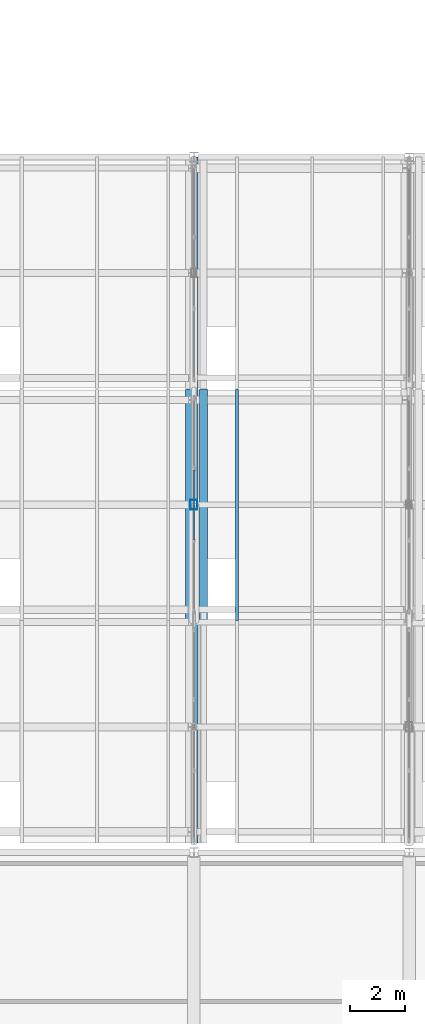
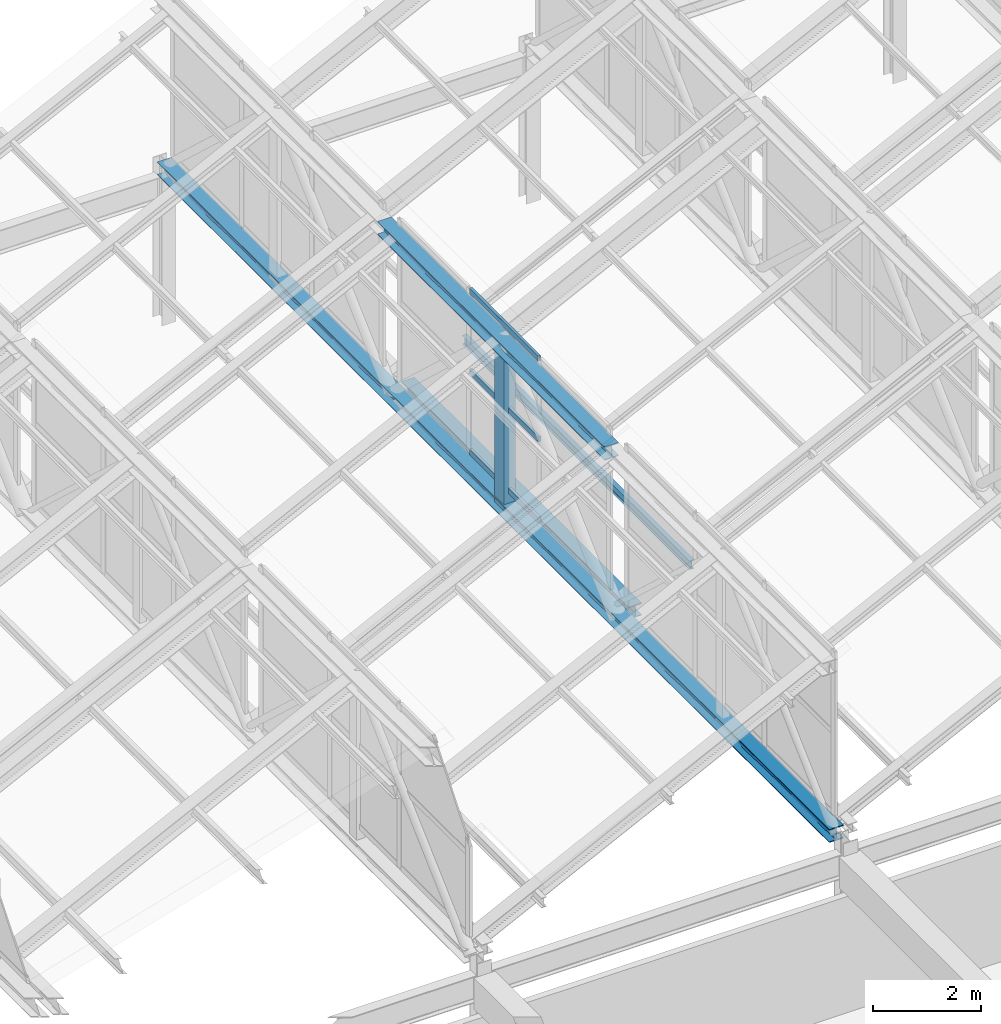
# One storey, part 29 of 101: 8 members, 1 element without a shape of its own.
"""IFC4 building model written with IfcOpenShell, lengths in metres."""

from ifc_helpers import new_model, si_unit, direction, frame, origin, origin_2d, place, context, subcontext, project, spatial, hollow_rectangle, i_section, extrude, material, layer, layer_set, material_profile, profile_set, type_object, element, aggregate, save


model = new_model("IFC4")

# Units and contexts
model_context = context("Model", 3, precision=1e-05, world=origin(), true_north=direction((0.0, 1.0)))
body_context = subcontext(model_context, "Body", "Model", "MODEL_VIEW")
ifc_project = project(units=[si_unit("LENGTHUNIT", "METRE"), si_unit("AREAUNIT", "SQUARE_METRE"), si_unit("VOLUMEUNIT", "CUBIC_METRE"), si_unit("PLANEANGLEUNIT", "RADIAN"), si_unit("MASSUNIT", "GRAM", prefix="KILO")], contexts=[model_context])

# Site, building, storey
site_placement = place(None, origin())
site = spatial("IfcSite", under=ifc_project, at=site_placement, CompositionType="ELEMENT")
building_placement = place(site_placement, origin())
building = spatial("IfcBuilding", under=site, at=building_placement, Name="Zizhar Promenade General Hospital", CompositionType="ELEMENT")
storey_placement = place(building_placement, frame((0.0, 0.0, 14.39990234375)))
storey = spatial("IfcBuildingStorey", under=building, at=storey_placement, Name="L03", CompositionType="ELEMENT", Elevation=14.39990234375)

# Curtain wall, members
ifc_material_1 = material(Name="Anodised aluminium 6063-T6 and low-E glass", Category="aluminium")
ifc_layer = layer(ifc_material_1, 0.159912109375)
ifc_layer_set = layer_set([ifc_layer], Name="Anodised aluminium 6063-T6 and low-E glass")
curtain_wall_type = type_object("IfcCurtainWallType", Name="CW-SAW-NL2", PredefinedType="NOTDEFINED", material=ifc_layer_set)
curtain_wall_placement = place(storey_placement, origin())
curtain_wall = element("IfcCurtainWall", 1, at=curtain_wall_placement, inside=storey, type_object=curtain_wall_type, Name="Sawtooth Clerestory Light B3-S2", PredefinedType="NOTDEFINED")
ifc_material_2 = material(Name="Anodised aluminium 6063-T6", Category="aluminium")
ifc_material_profile_1 = material_profile(ifc_material_2, hollow_rectangle(XDim=0.06005859375, YDim=0.1201171875, WallThickness=0.00390625, at=origin_2d()))
ifc_profile_set_1 = profile_set([ifc_material_profile_1], Name="Anodised aluminium 6063-T6")
member_type_1 = type_object("IfcMemberType", Name="CWT-ALU-120x60", PredefinedType="USERDEFINED", material=ifc_profile_set_1)
member_1_placement = place(storey_placement, frame((93.60009765625, 36.530029296875, 3.880126953125), z_axis=(0.0, 1.0, 0.0), x_axis=(-1.0, 0.0, 0.0)))
member_1 = element("IfcMember", 2, at=member_1_placement, type_object=member_type_1, Name="CW-04 transom 2.1", ObjectType="TRANSOM", PredefinedType="USERDEFINED", context=body_context, shape_type="SweptSolid", body=[
    extrude(hollow_rectangle(XDim=0.06005859375, YDim=0.1201171875, WallThickness=0.00390625, at=origin_2d()), origin(), (0.0, 0.0, 1.0), 2.5400390625),
])
member_2_placement = place(storey_placement, frame((93.60009765625, 36.530029296875, 5.7001953125), z_axis=(0.0, 1.0, 0.0), x_axis=(-1.0, 0.0, 0.0)))
member_2 = element("IfcMember", 3, at=member_2_placement, type_object=member_type_1, Name="CW-04 transom 2.2", ObjectType="TRANSOM", PredefinedType="USERDEFINED", context=body_context, shape_type="SweptSolid", body=[
    extrude(hollow_rectangle(XDim=0.06005859375, YDim=0.1201171875, WallThickness=0.00390625, at=origin_2d()), origin(), (0.0, 0.0, 1.0), 2.5400390625),
])
member_3_placement = place(storey_placement, frame((93.60009765625, 36.530029296875, 7.52001953125), z_axis=(0.0, 1.0, 0.0), x_axis=(-1.0, 0.0, 0.0)))
member_3 = element("IfcMember", 4, at=member_3_placement, type_object=member_type_1, Name="CW-04 transom 2.3", ObjectType="TRANSOM", PredefinedType="USERDEFINED", context=body_context, shape_type="SweptSolid", body=[
    extrude(hollow_rectangle(XDim=0.06005859375, YDim=0.1201171875, WallThickness=0.00390625, at=origin_2d()), origin(), (0.0, 0.0, 1.0), 2.5400390625),
])
aggregate(curtain_wall, [member_1, member_2, member_3])

# Members
ifc_material_3 = material(Name="Steel S355", Category="steel")
ifc_material_profile_2 = material_profile(ifc_material_3, i_section(OverallWidth=0.280029296875, OverallDepth=0.280029296875, WebThickness=0.010498046875, FlangeThickness=0.01806640625, FilletRadius=0.02392578125, at=origin_2d()))
ifc_profile_set_2 = profile_set([ifc_material_profile_2], Name="Steel S355")
member_type_2 = type_object("IfcMemberType", Name="MEM-CHORD-HEB280", PredefinedType="CHORD", material=ifc_profile_set_2)
member_4_placement = place(storey_placement, frame((93.949951171875, 33.60009765625, 3.47021484375), z_axis=(0.0, 1.0, 0.0), x_axis=(-1.0, 0.0, 0.0)))
element("IfcMember", 5, at=member_4_placement, inside=storey, type_object=member_type_2, Name="Sawtooth Bay 4 Valley Tie 2", PredefinedType="CHORD", context=body_context, shape_type="SweptSolid", body=[
    extrude(i_section(OverallWidth=0.280029296875, OverallDepth=0.280029296875, WebThickness=0.010498046875, FlangeThickness=0.01806640625, FilletRadius=0.02392578125, at=origin_2d()), origin(), (0.0, 0.0, 1.0), 8.39990234375),
])
ifc_material_4 = material(Name="Steel S355", Category="steel")
ifc_material_profile_3 = material_profile(ifc_material_4, i_section(OverallWidth=0.300048828125, OverallDepth=0.300048828125, WebThickness=0.010986328125, FlangeThickness=0.01904296875, FilletRadius=0.027099609375, at=origin_2d()))
ifc_profile_set_3 = profile_set([ifc_material_profile_3], Name="Steel S355")
member_type_3 = type_object("IfcMemberType", Name="MEM-CHORD-HEB300", PredefinedType="CHORD", material=ifc_profile_set_3)
member_5_placement = place(storey_placement, frame((93.60009765625, 25.550048828125, 3.4501953125), z_axis=(0.0, 1.0, 0.0), x_axis=(-1.0, 0.0, 0.0)))
element("IfcMember", 6, at=member_5_placement, inside=storey, type_object=member_type_3, Name="Sawtooth Truss Frame 4 Bottom Chord", PredefinedType="CHORD", context=body_context, shape_type="SweptSolid", body=[
    extrude(i_section(OverallWidth=0.300048828125, OverallDepth=0.300048828125, WebThickness=0.010986328125, FlangeThickness=0.01904296875, FilletRadius=0.027099609375, at=origin_2d()), origin(), (0.0, 0.0, 1.0), 24.849853515625),
])
member_6_placement = place(storey_placement, frame((93.449951171875, 33.60009765625, 7.25), z_axis=(0.0, 1.0, 0.0), x_axis=(-1.0, 0.0, 0.0)))
element("IfcMember", 7, at=member_6_placement, inside=storey, type_object=member_type_3, Name="Sawtooth Bay 3 Ridge Chord 2", PredefinedType="CHORD", context=body_context, shape_type="SweptSolid", body=[
    extrude(i_section(OverallWidth=0.300048828125, OverallDepth=0.300048828125, WebThickness=0.010986328125, FlangeThickness=0.01904296875, FilletRadius=0.027099609375, at=origin_2d()), origin(), (0.0, 0.0, 1.0), 8.39990234375),
])
ifc_material_5 = material(Name="Steel S355", Category="steel")
ifc_material_profile_4 = material_profile(ifc_material_5, i_section(OverallWidth=0.10009765625, OverallDepth=0.199951171875, WebThickness=0.005615234375, FlangeThickness=0.008544921875, FilletRadius=0.011962890625, at=origin_2d()))
ifc_profile_set_4 = profile_set([ifc_material_profile_4], Name="Steel S355")
member_type_4 = type_object("IfcMemberType", Name="MEM-PURL-IPE200", PredefinedType="PURLIN", material=ifc_profile_set_4)
member_7_placement = place(storey_placement, frame((95.159912109375, 33.60009765625, 4.09716796875), z_axis=(0.0, 1.0, 0.0), x_axis=(-1.0, 0.0, 0.0)))
element("IfcMember", 8, at=member_7_placement, inside=storey, type_object=member_type_4, Name="Sawtooth Bay 4 Purlin 2-1", PredefinedType="PURLIN", context=body_context, shape_type="SweptSolid", body=[
    extrude(i_section(OverallWidth=0.10009765625, OverallDepth=0.199951171875, WebThickness=0.005615234375, FlangeThickness=0.008544921875, FilletRadius=0.011962890625, at=origin_2d()), origin(), (0.0, 0.0, 1.0), 8.39990234375),
])
ifc_material_6 = material(Name="Steel S355", Category="steel")
ifc_material_profile_5 = material_profile(ifc_material_6, hollow_rectangle(XDim=0.25, YDim=0.35009765625, WallThickness=0.010009765625, at=origin_2d()))
ifc_profile_set_5 = profile_set([ifc_material_profile_5], Name="Steel S355")
member_type_5 = type_object("IfcMemberType", Name="MEM-STRUT-RHS350", PredefinedType="STRUT", material=ifc_profile_set_5)
member_8_placement = place(storey_placement, frame((93.60009765625, 37.800048828125, 3.4501953125), z_axis=(0.0, 0.0, 1.0), x_axis=(1.0, 0.0, 0.0)))
element("IfcMember", 9, at=member_8_placement, inside=storey, type_object=member_type_5, Name="Sawtooth Truss Frame 4 Vertical Post 2", PredefinedType="STRUT", context=body_context, shape_type="SweptSolid", body=[
    extrude(hollow_rectangle(XDim=0.25, YDim=0.35009765625, WallThickness=0.010009765625, at=origin_2d()), origin(), (0.0, 0.0, 1.0), 3.89990234375),
])

save(model, "model.ifc")
